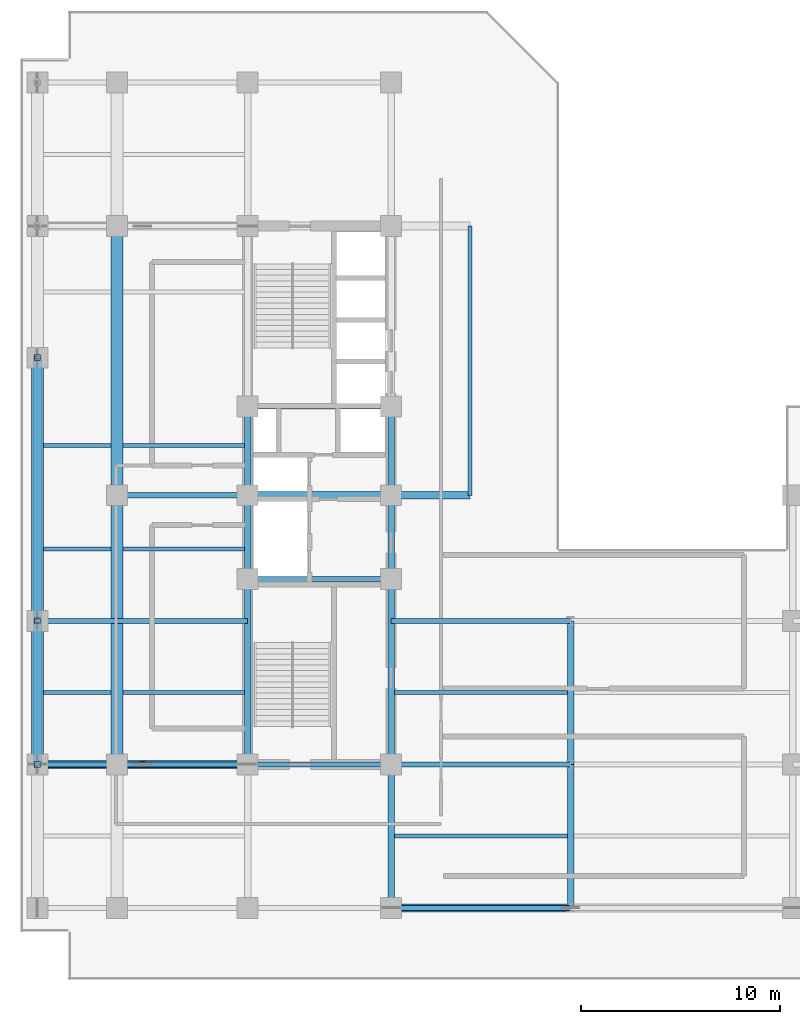
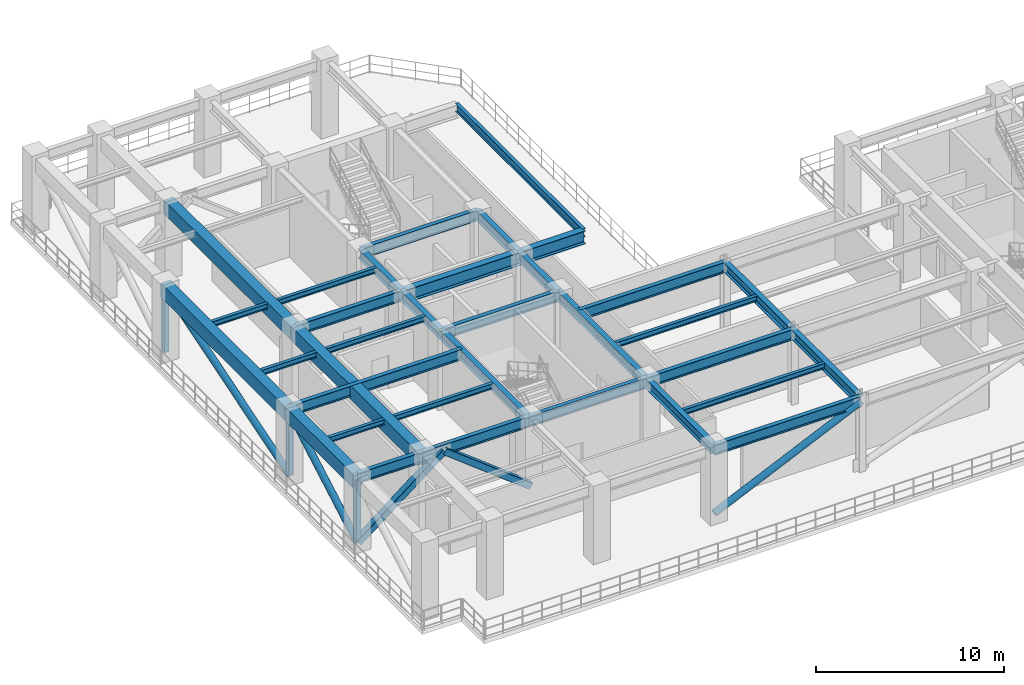
# One storey, part 2 of 16: 33 beams, 8 members.
"""IFC4 building model written with IfcOpenShell, lengths in metres."""

from ifc_helpers import new_model, entity, si_unit, converted_unit, direction, frame, origin_with_axes, origin_2d_with_axis, place, context, subcontext, project, spatial, rectangle, hollow_rectangle, hollow_circle, i_section, extrude, material, material_profile, profile_set, type_object, element, save


model = new_model("IFC4")

# Units and contexts
model_context = context("Model", 3, precision=1e-05, world=origin_with_axes(), true_north=direction((0.0, 1.0)))
body_context = subcontext(model_context, "Body", "Model", "MODEL_VIEW")
ifc_project = project(units=[si_unit("LENGTHUNIT", "METRE"), si_unit("AREAUNIT", "SQUARE_METRE"), si_unit("VOLUMEUNIT", "CUBIC_METRE"), converted_unit("PLANEANGLEUNIT", "DEGREE", entity("IfcPlaneAngleMeasure", 0.017453292519943295), si_unit("PLANEANGLEUNIT", "RADIAN"), dimensions=[0, 0, 0, 0, 0, 0, 0]), si_unit("MASSUNIT", "GRAM", prefix="KILO"), si_unit("THERMODYNAMICTEMPERATUREUNIT", "KELVIN")], contexts=[model_context])

# Site, building, storey
site_placement = place(None, origin_with_axes())
site = spatial("IfcSite", under=ifc_project, at=site_placement, CompositionType="ELEMENT")
building_placement = place(site_placement, origin_with_axes())
building = spatial("IfcBuilding", under=site, at=building_placement, Name="Varnlund Millrace Tower", CompositionType="ELEMENT")
storey_placement = place(building_placement, frame((0.0, 0.0, 187.5), z_axis=(0.0, 0.0, 1.0), x_axis=(1.0, 0.0, 0.0)))
storey = spatial("IfcBuildingStorey", under=building, at=storey_placement, Name="L46", CompositionType="ELEMENT", Elevation=187.5)

# Beam
ifc_material_1 = material(Name="Steel ASTM A992 Grade 50", Category="steel")
ifc_material_profile_1 = material_profile(ifc_material_1, i_section(OverallWidth=0.209, OverallDepth=0.533, WebThickness=0.0102, FlangeThickness=0.0156, FilletRadius=0.014, at=origin_2d_with_axis()), Name="Steel ASTM A992 Grade 50")
ifc_profile_set_1 = profile_set([ifc_material_profile_1], Name="Steel ASTM A992 Grade 50")
beam_type_1 = type_object("IfcBeamType", Name="Type-Beam-W21X62", PredefinedType="BEAM", material=ifc_profile_set_1)
beam_1_placement = place(storey_placement, frame((22.55, 24.3, 4.5935), z_axis=(0.0, 1.0, 0.0), x_axis=(-1.0, 0.0, 0.0)))
element("IfcBeam", 1, at=beam_1_placement, inside=storey, type_object=beam_type_1, Name="Type-Beam-W21X62", PredefinedType="BEAM", context=body_context, shape_type="SweptSolid", body=[
    extrude(i_section(OverallWidth=0.209, OverallDepth=0.533, WebThickness=0.0102, FlangeThickness=0.0156, FilletRadius=0.014, at=origin_2d_with_axis()), origin_with_axes(), (0.0, 0.0, 1.0), 13.5),
])

# Members
ifc_material_2 = material(Name="Steel ASTM A500 Grade C", Category="steel")
ifc_material_profile_2 = material_profile(ifc_material_2, hollow_circle(Radius=0.203, WallThickness=0.0147, at=origin_2d_with_axis()), Name="Steel ASTM A500 Grade C")
ifc_profile_set_2 = profile_set([ifc_material_profile_2], Name="Steel ASTM A500 Grade C")
member_type_1 = type_object("IfcMemberType", Name="Type-Belt-Brace-CHS406", PredefinedType="BRACE", material=ifc_profile_set_2)
member_1_placement = place(storey_placement, frame((0.85, 10.8, 0.35), z_axis=(0.0, 0.868985, 0.494839), x_axis=(-1.0, 0.0, 0.0)))
element("IfcMember", 2, at=member_1_placement, inside=storey, type_object=member_type_1, Name="Type-Belt-Brace-CHS406", PredefinedType="BRACE", context=body_context, shape_type="SweptSolid", body=[
    extrude(hollow_circle(Radius=0.203, WallThickness=0.0147, at=origin_2d_with_axis()), origin_with_axes(), (0.0, 0.0, 1.0), 8.28553),
])
member_2_placement = place(storey_placement, frame((0.85, 18.0, 0.35), z_axis=(0.0, 0.954993, 0.296627), x_axis=(-1.0, 0.0, 0.0)))
element("IfcMember", 3, at=member_2_placement, inside=storey, type_object=member_type_1, Name="Type-Belt-Brace-CHS406", PredefinedType="BRACE", context=body_context, shape_type="SweptSolid", body=[
    extrude(hollow_circle(Radius=0.203, WallThickness=0.0147, at=origin_2d_with_axis()), origin_with_axes(), (0.0, 0.0, 1.0), 13.822084),
])
member_3_placement = place(storey_placement, frame((18.6, 3.6, 0.35), z_axis=(0.91002, 0.0, 0.414565), x_axis=(0.0, 1.0, 0.0)))
element("IfcMember", 4, at=member_3_placement, inside=storey, type_object=member_type_1, Name="Type-Belt-Brace-CHS406", PredefinedType="BRACE", context=body_context, shape_type="SweptSolid", body=[
    extrude(hollow_circle(Radius=0.203, WallThickness=0.0147, at=origin_2d_with_axis()), origin_with_axes(), (0.0, 0.0, 1.0), 9.889894),
])
ifc_material_profile_3 = material_profile(ifc_material_2, hollow_rectangle(XDim=0.305, YDim=0.305, WallThickness=0.0147, InnerFilletRadius=0.015, OuterFilletRadius=0.03, at=origin_2d_with_axis()), Name="Steel ASTM A500 Grade C")
ifc_profile_set_3 = profile_set([ifc_material_profile_3], Name="Steel ASTM A500 Grade C")
member_type_2 = type_object("IfcMemberType", Name="Type-Belt-Chord-HSS12", PredefinedType="CHORD", material=ifc_profile_set_3)
for number, where, z_axis, x_axis, name in (
    (5, (0.85, 10.8, 0.35), (0.0, 0.0, 1.0), (1.0, 0.0, 0.0), "Type-Belt-Chord-HSS12"),
    (6, (0.85, 18.0, 0.35), (0.0, 0.0, 1.0), (1.0, 0.0, 0.0), "Type-Belt-Chord-HSS12"),
    (7, (0.85, 31.2, 0.35), (0.0, 0.0, 1.0), (1.0, 0.0, 0.0), "Type-Belt-Chord-HSS12"),
):
    element("IfcMember", number, at=place(storey_placement, frame(where, z_axis=z_axis, x_axis=x_axis)), inside=storey, type_object=member_type_2, Name=name, PredefinedType="CHORD", context=body_context, shape_type="SweptSolid", body=[
        extrude(hollow_rectangle(XDim=0.305, YDim=0.305, WallThickness=0.0147, InnerFilletRadius=0.015, OuterFilletRadius=0.03, at=origin_2d_with_axis()), origin_with_axes(), (0.0, 0.0, 1.0), 4.1),
    ])

# Beams
ifc_material_profile_4 = material_profile(ifc_material_1, i_section(OverallWidth=0.328, OverallDepth=0.628, WebThickness=0.0165, FlangeThickness=0.0277, FilletRadius=0.018, at=origin_2d_with_axis()), Name="Steel ASTM A992 Grade 50")
ifc_profile_set_4 = profile_set([ifc_material_profile_4], Name="Steel ASTM A992 Grade 50")
beam_type_2 = type_object("IfcBeamType", Name="Type-Girder-W24X146", PredefinedType="USERDEFINED", material=ifc_profile_set_4)
beam_2_placement = place(storey_placement, frame((11.4, 10.8, 4.546), z_axis=(0.0, 1.0, 0.0), x_axis=(-1.0, 0.0, 0.0)))
element("IfcBeam", 8, at=beam_2_placement, inside=storey, type_object=beam_type_2, Name="Type-Girder-W24X146", ObjectType="GIRDER", PredefinedType="USERDEFINED", context=body_context, shape_type="SweptSolid", body=[
    extrude(i_section(OverallWidth=0.328, OverallDepth=0.628, WebThickness=0.0165, FlangeThickness=0.0277, FilletRadius=0.018, at=origin_2d_with_axis()), origin_with_axes(), (0.0, 0.0, 1.0), 9.3),
])
beam_3_placement = place(storey_placement, frame((11.4, 20.1, 4.546), z_axis=(0.0, 1.0, 0.0), x_axis=(-1.0, 0.0, 0.0)))
element("IfcBeam", 9, at=beam_3_placement, inside=storey, type_object=beam_type_2, Name="Type-Girder-W24X146", ObjectType="GIRDER", PredefinedType="USERDEFINED", context=body_context, shape_type="SweptSolid", body=[
    extrude(i_section(OverallWidth=0.328, OverallDepth=0.628, WebThickness=0.0165, FlangeThickness=0.0277, FilletRadius=0.018, at=origin_2d_with_axis()), origin_with_axes(), (0.0, 0.0, 1.0), 4.2),
])
beam_4_placement = place(storey_placement, frame((11.4, 24.3, 4.546), z_axis=(0.0, 1.0, 0.0), x_axis=(-1.0, 0.0, 0.0)))
element("IfcBeam", 10, at=beam_4_placement, inside=storey, type_object=beam_type_2, Name="Type-Girder-W24X146", ObjectType="GIRDER", PredefinedType="USERDEFINED", context=body_context, shape_type="SweptSolid", body=[
    extrude(i_section(OverallWidth=0.328, OverallDepth=0.628, WebThickness=0.0165, FlangeThickness=0.0277, FilletRadius=0.018, at=origin_2d_with_axis()), origin_with_axes(), (0.0, 0.0, 1.0), 4.45),
])
beam_5_placement = place(storey_placement, frame((18.6, 3.6, 4.546), z_axis=(0.0, 1.0, 0.0), x_axis=(-1.0, 0.0, 0.0)))
element("IfcBeam", 11, at=beam_5_placement, inside=storey, type_object=beam_type_2, Name="Type-Girder-W24X146", ObjectType="GIRDER", PredefinedType="USERDEFINED", context=body_context, shape_type="SweptSolid", body=[
    extrude(i_section(OverallWidth=0.328, OverallDepth=0.628, WebThickness=0.0165, FlangeThickness=0.0277, FilletRadius=0.018, at=origin_2d_with_axis()), origin_with_axes(), (0.0, 0.0, 1.0), 7.2),
])
beam_6_placement = place(storey_placement, frame((18.6, 10.8, 4.546), z_axis=(0.0, 1.0, 0.0), x_axis=(-1.0, 0.0, 0.0)))
element("IfcBeam", 12, at=beam_6_placement, inside=storey, type_object=beam_type_2, Name="Type-Girder-W24X146", ObjectType="GIRDER", PredefinedType="USERDEFINED", context=body_context, shape_type="SweptSolid", body=[
    extrude(i_section(OverallWidth=0.328, OverallDepth=0.628, WebThickness=0.0165, FlangeThickness=0.0277, FilletRadius=0.018, at=origin_2d_with_axis()), origin_with_axes(), (0.0, 0.0, 1.0), 9.3),
])
beam_7_placement = place(storey_placement, frame((18.6, 20.1, 4.546), z_axis=(0.0, 1.0, 0.0), x_axis=(-1.0, 0.0, 0.0)))
element("IfcBeam", 13, at=beam_7_placement, inside=storey, type_object=beam_type_2, Name="Type-Girder-W24X146", ObjectType="GIRDER", PredefinedType="USERDEFINED", context=body_context, shape_type="SweptSolid", body=[
    extrude(i_section(OverallWidth=0.328, OverallDepth=0.628, WebThickness=0.0165, FlangeThickness=0.0277, FilletRadius=0.018, at=origin_2d_with_axis()), origin_with_axes(), (0.0, 0.0, 1.0), 4.2),
])
beam_8_placement = place(storey_placement, frame((18.6, 24.3, 4.546), z_axis=(0.0, 1.0, 0.0), x_axis=(-1.0, 0.0, 0.0)))
element("IfcBeam", 14, at=beam_8_placement, inside=storey, type_object=beam_type_2, Name="Type-Girder-W24X146", ObjectType="GIRDER", PredefinedType="USERDEFINED", context=body_context, shape_type="SweptSolid", body=[
    extrude(i_section(OverallWidth=0.328, OverallDepth=0.628, WebThickness=0.0165, FlangeThickness=0.0277, FilletRadius=0.018, at=origin_2d_with_axis()), origin_with_axes(), (0.0, 0.0, 1.0), 4.45),
])
for number, where, z_axis, x_axis, name in (
    (15, (27.6, 3.6, 4.546), (0.0, 1.0, 0.0), (-1.0, 0.0, 0.0), "Type-Girder-W24X146"),
    (16, (27.6, 10.8, 4.546), (0.0, 1.0, 0.0), (-1.0, 0.0, 0.0), "Type-Girder-W24X146"),
):
    element("IfcBeam", number, at=place(storey_placement, frame(where, z_axis=z_axis, x_axis=x_axis)), inside=storey, type_object=beam_type_2, Name=name, ObjectType="GIRDER", PredefinedType="USERDEFINED", context=body_context, shape_type="SweptSolid", body=[
        extrude(i_section(OverallWidth=0.328, OverallDepth=0.628, WebThickness=0.0165, FlangeThickness=0.0277, FilletRadius=0.018, at=origin_2d_with_axis()), origin_with_axes(), (0.0, 0.0, 1.0), 7.2),
    ])
ifc_material_profile_5 = material_profile(ifc_material_1, i_section(OverallWidth=0.256, OverallDepth=0.693, WebThickness=0.0145, FlangeThickness=0.0236, FilletRadius=0.018, at=origin_2d_with_axis()), Name="Steel ASTM A992 Grade 50")
ifc_profile_set_5 = profile_set([ifc_material_profile_5], Name="Steel ASTM A992 Grade 50")
beam_type_3 = type_object("IfcBeamType", Name="Type-Girder-W27X114", PredefinedType="USERDEFINED", material=ifc_profile_set_5)
beam_9_placement = place(storey_placement, frame((18.6, 3.6, 4.5135), z_axis=(1.0, 0.0, 0.0), x_axis=(0.0, 1.0, 0.0)))
element("IfcBeam", 17, at=beam_9_placement, inside=storey, type_object=beam_type_3, Name="Type-Girder-W27X114", ObjectType="GIRDER", PredefinedType="USERDEFINED", context=body_context, shape_type="SweptSolid", body=[
    extrude(i_section(OverallWidth=0.256, OverallDepth=0.693, WebThickness=0.0145, FlangeThickness=0.0236, FilletRadius=0.018, at=origin_2d_with_axis()), origin_with_axes(), (0.0, 0.0, 1.0), 9.0),
])
beam_10_placement = place(storey_placement, frame((0.85, 10.8, 4.5135), z_axis=(1.0, 0.0, 0.0), x_axis=(0.0, 1.0, 0.0)))
element("IfcBeam", 18, at=beam_10_placement, inside=storey, type_object=beam_type_3, Name="Type-Girder-W27X114", ObjectType="GIRDER", PredefinedType="USERDEFINED", context=body_context, shape_type="SweptSolid", body=[
    extrude(i_section(OverallWidth=0.256, OverallDepth=0.693, WebThickness=0.0145, FlangeThickness=0.0236, FilletRadius=0.018, at=origin_2d_with_axis()), origin_with_axes(), (0.0, 0.0, 1.0), 4.0),
])
beam_11_placement = place(storey_placement, frame((4.85, 10.8, 4.5135), z_axis=(1.0, 0.0, 0.0), x_axis=(0.0, 1.0, 0.0)))
element("IfcBeam", 19, at=beam_11_placement, inside=storey, type_object=beam_type_3, Name="Type-Girder-W27X114", ObjectType="GIRDER", PredefinedType="USERDEFINED", context=body_context, shape_type="SweptSolid", body=[
    extrude(i_section(OverallWidth=0.256, OverallDepth=0.693, WebThickness=0.0145, FlangeThickness=0.0236, FilletRadius=0.018, at=origin_2d_with_axis()), origin_with_axes(), (0.0, 0.0, 1.0), 6.55),
])
beam_12_placement = place(storey_placement, frame((11.4, 10.8, 4.5135), z_axis=(1.0, 0.0, 0.0), x_axis=(0.0, 1.0, 0.0)))
element("IfcBeam", 20, at=beam_12_placement, inside=storey, type_object=beam_type_3, Name="Type-Girder-W27X114", ObjectType="GIRDER", PredefinedType="USERDEFINED", context=body_context, shape_type="SweptSolid", body=[
    extrude(i_section(OverallWidth=0.256, OverallDepth=0.693, WebThickness=0.0145, FlangeThickness=0.0236, FilletRadius=0.018, at=origin_2d_with_axis()), origin_with_axes(), (0.0, 0.0, 1.0), 7.2),
])
beam_13_placement = place(storey_placement, frame((18.6, 10.8, 4.5135), z_axis=(1.0, 0.0, 0.0), x_axis=(0.0, 1.0, 0.0)))
element("IfcBeam", 21, at=beam_13_placement, inside=storey, type_object=beam_type_3, Name="Type-Girder-W27X114", ObjectType="GIRDER", PredefinedType="USERDEFINED", context=body_context, shape_type="SweptSolid", body=[
    extrude(i_section(OverallWidth=0.256, OverallDepth=0.693, WebThickness=0.0145, FlangeThickness=0.0236, FilletRadius=0.018, at=origin_2d_with_axis()), origin_with_axes(), (0.0, 0.0, 1.0), 9.0),
])
beam_14_placement = place(storey_placement, frame((0.85, 18.0, 4.5135), z_axis=(1.0, 0.0, 0.0), x_axis=(0.0, 1.0, 0.0)))
element("IfcBeam", 22, at=beam_14_placement, inside=storey, type_object=beam_type_3, Name="Type-Girder-W27X114", ObjectType="GIRDER", PredefinedType="USERDEFINED", context=body_context, shape_type="SweptSolid", body=[
    extrude(i_section(OverallWidth=0.256, OverallDepth=0.693, WebThickness=0.0145, FlangeThickness=0.0236, FilletRadius=0.018, at=origin_2d_with_axis()), origin_with_axes(), (0.0, 0.0, 1.0), 10.55),
])
beam_15_placement = place(storey_placement, frame((18.6, 18.0, 4.5135), z_axis=(1.0, 0.0, 0.0), x_axis=(0.0, 1.0, 0.0)))
element("IfcBeam", 23, at=beam_15_placement, inside=storey, type_object=beam_type_3, Name="Type-Girder-W27X114", ObjectType="GIRDER", PredefinedType="USERDEFINED", context=body_context, shape_type="SweptSolid", body=[
    extrude(i_section(OverallWidth=0.256, OverallDepth=0.693, WebThickness=0.0145, FlangeThickness=0.0236, FilletRadius=0.018, at=origin_2d_with_axis()), origin_with_axes(), (0.0, 0.0, 1.0), 9.0),
])
beam_16_placement = place(storey_placement, frame((11.4, 20.1, 4.5135), z_axis=(1.0, 0.0, 0.0), x_axis=(0.0, 1.0, 0.0)))
element("IfcBeam", 24, at=beam_16_placement, inside=storey, type_object=beam_type_3, Name="Type-Girder-W27X114", ObjectType="GIRDER", PredefinedType="USERDEFINED", context=body_context, shape_type="SweptSolid", body=[
    extrude(i_section(OverallWidth=0.256, OverallDepth=0.693, WebThickness=0.0145, FlangeThickness=0.0236, FilletRadius=0.018, at=origin_2d_with_axis()), origin_with_axes(), (0.0, 0.0, 1.0), 7.2),
])
beam_17_placement = place(storey_placement, frame((4.85, 24.3, 4.5135), z_axis=(1.0, 0.0, 0.0), x_axis=(0.0, 1.0, 0.0)))
element("IfcBeam", 25, at=beam_17_placement, inside=storey, type_object=beam_type_3, Name="Type-Girder-W27X114", ObjectType="GIRDER", PredefinedType="USERDEFINED", context=body_context, shape_type="SweptSolid", body=[
    extrude(i_section(OverallWidth=0.256, OverallDepth=0.693, WebThickness=0.0145, FlangeThickness=0.0236, FilletRadius=0.018, at=origin_2d_with_axis()), origin_with_axes(), (0.0, 0.0, 1.0), 6.55),
])
beam_18_placement = place(storey_placement, frame((11.4, 28.75, 4.5135), z_axis=(1.0, 0.0, 0.0), x_axis=(0.0, 1.0, 0.0)))
element("IfcBeam", 26, at=beam_18_placement, inside=storey, type_object=beam_type_3, Name="Type-Girder-W27X114", ObjectType="GIRDER", PredefinedType="USERDEFINED", context=body_context, shape_type="SweptSolid", body=[
    extrude(i_section(OverallWidth=0.256, OverallDepth=0.693, WebThickness=0.0145, FlangeThickness=0.0236, FilletRadius=0.018, at=origin_2d_with_axis()), origin_with_axes(), (0.0, 0.0, 1.0), 7.2),
])
ifc_material_profile_6 = material_profile(ifc_material_1, i_section(OverallWidth=0.399, OverallDepth=0.855, WebThickness=0.0182, FlangeThickness=0.0292, FilletRadius=0.022, at=origin_2d_with_axis()), Name="Steel ASTM A992 Grade 50")
ifc_profile_set_6 = profile_set([ifc_material_profile_6], Name="Steel ASTM A992 Grade 50")
beam_type_4 = type_object("IfcBeamType", Name="Type-Girder-W33X201", PredefinedType="USERDEFINED", material=ifc_profile_set_6)
beam_19_placement = place(storey_placement, frame((11.4, 24.3, 4.4325), z_axis=(1.0, 0.0, 0.0), x_axis=(0.0, 1.0, 0.0)))
element("IfcBeam", 27, at=beam_19_placement, inside=storey, type_object=beam_type_4, Name="Type-Girder-W33X201", ObjectType="GIRDER", PredefinedType="USERDEFINED", context=body_context, shape_type="SweptSolid", body=[
    extrude(i_section(OverallWidth=0.399, OverallDepth=0.855, WebThickness=0.0182, FlangeThickness=0.0292, FilletRadius=0.022, at=origin_2d_with_axis()), origin_with_axes(), (0.0, 0.0, 1.0), 11.15),
])
ifc_material_profile_7 = material_profile(ifc_material_1, i_section(OverallWidth=0.204, OverallDepth=0.35, WebThickness=0.0086, FlangeThickness=0.0151, FilletRadius=0.013, at=origin_2d_with_axis()), Name="Steel ASTM A992 Grade 50")
ifc_profile_set_7 = profile_set([ifc_material_profile_7], Name="Steel ASTM A992 Grade 50")
beam_type_5 = type_object("IfcBeamType", Name="Type-Joist-W14X48", PredefinedType="JOIST", material=ifc_profile_set_7)
for number, where, z_axis, x_axis, name in (
    (28, (1.15, 14.4, 4.685), (1.0, 0.0, 0.0), (0.0, 1.0, 0.0), "Type-Joist-W14X48"),
    (29, (1.15, 21.6, 4.685), (1.0, 0.0, 0.0), (0.0, 1.0, 0.0), "Type-Joist-W14X48"),
    (30, (1.15, 26.8, 4.685), (1.0, 0.0, 0.0), (0.0, 1.0, 0.0), "Type-Joist-W14X48"),
):
    element("IfcBeam", number, at=place(storey_placement, frame(where, z_axis=z_axis, x_axis=x_axis)), inside=storey, type_object=beam_type_5, Name=name, PredefinedType="JOIST", context=body_context, shape_type="SweptSolid", body=[
        extrude(i_section(OverallWidth=0.204, OverallDepth=0.35, WebThickness=0.0086, FlangeThickness=0.0151, FilletRadius=0.013, at=origin_2d_with_axis()), origin_with_axes(), (0.0, 0.0, 1.0), 3.4),
    ])
for number, where, z_axis, x_axis, name in (
    (31, (5.15, 14.4, 4.685), (1.0, 0.0, 0.0), (0.0, 1.0, 0.0), "Type-Joist-W14X48"),
    (32, (5.15, 21.6, 4.685), (1.0, 0.0, 0.0), (0.0, 1.0, 0.0), "Type-Joist-W14X48"),
    (33, (5.15, 26.8, 4.685), (1.0, 0.0, 0.0), (0.0, 1.0, 0.0), "Type-Joist-W14X48"),
):
    element("IfcBeam", number, at=place(storey_placement, frame(where, z_axis=z_axis, x_axis=x_axis)), inside=storey, type_object=beam_type_5, Name=name, PredefinedType="JOIST", context=body_context, shape_type="SweptSolid", body=[
        extrude(i_section(OverallWidth=0.204, OverallDepth=0.35, WebThickness=0.0086, FlangeThickness=0.0151, FilletRadius=0.013, at=origin_2d_with_axis()), origin_with_axes(), (0.0, 0.0, 1.0), 6.086),
    ])
for number, where, z_axis, x_axis, name in (
    (34, (18.764, 7.2, 4.685), (1.0, 0.0, 0.0), (0.0, 1.0, 0.0), "Type-Joist-W14X48"),
    (35, (18.764, 14.4, 4.685), (1.0, 0.0, 0.0), (0.0, 1.0, 0.0), "Type-Joist-W14X48"),
):
    element("IfcBeam", number, at=place(storey_placement, frame(where, z_axis=z_axis, x_axis=x_axis)), inside=storey, type_object=beam_type_5, Name=name, PredefinedType="JOIST", context=body_context, shape_type="SweptSolid", body=[
        extrude(i_section(OverallWidth=0.204, OverallDepth=0.35, WebThickness=0.0086, FlangeThickness=0.0151, FilletRadius=0.013, at=origin_2d_with_axis()), origin_with_axes(), (0.0, 0.0, 1.0), 8.672),
    ])

# Members
ifc_material_profile_8 = material_profile(ifc_material_2, hollow_rectangle(XDim=0.406, YDim=0.406, WallThickness=0.0147, InnerFilletRadius=0.015, OuterFilletRadius=0.03, at=origin_2d_with_axis()), Name="Steel ASTM A500 Grade C")
ifc_profile_set_8 = profile_set([ifc_material_profile_8], Name="Steel ASTM A500 Grade C")
member_type_3 = type_object("IfcMemberType", Name="Type-Outrigger-Brace-HSS16", PredefinedType="BRACE", material=ifc_profile_set_8)
for number, where, z_axis, x_axis, name in (
    (36, (0.85, 10.8, 0.35), (0.789554, 0.0, 0.613682), (0.0, 1.0, 0.0), "Type-Outrigger-Brace-HSS16"),
    (37, (11.4, 10.8, 0.35), (-0.789554, 0.0, 0.613682), (0.0, -1.0, 0.0), "Type-Outrigger-Brace-HSS16"),
):
    element("IfcMember", number, at=place(storey_placement, frame(where, z_axis=z_axis, x_axis=x_axis)), inside=storey, type_object=member_type_3, Name=name, PredefinedType="BRACE", context=body_context, shape_type="SweptSolid", body=[
        extrude(hollow_rectangle(XDim=0.406, YDim=0.406, WallThickness=0.0147, InnerFilletRadius=0.015, OuterFilletRadius=0.03, at=origin_2d_with_axis()), origin_with_axes(), (0.0, 0.0, 1.0), 6.68099),
    ])

# Beams
ifc_material_3 = material(Name="Concrete C70/85", Category="concrete")
ifc_material_profile_9 = material_profile(ifc_material_3, rectangle(XDim=0.6, YDim=0.9, at=origin_2d_with_axis()), Name="Concrete C70/85")
ifc_profile_set_9 = profile_set([ifc_material_profile_9], Name="Concrete C70/85")
beam_type_6 = type_object("IfcBeamType", Name="Type-Spandrel-RC600X900", PredefinedType="SPANDREL", material=ifc_profile_set_9)
beam_20_placement = place(storey_placement, frame((0.85, 10.8, 4.41), z_axis=(0.0, 1.0, 0.0), x_axis=(-1.0, 0.0, 0.0)))
element("IfcBeam", 38, at=beam_20_placement, inside=storey, type_object=beam_type_6, Name="Type-Spandrel-RC600X900", PredefinedType="SPANDREL", context=body_context, shape_type="SweptSolid", body=[
    extrude(rectangle(XDim=0.6, YDim=0.9, at=origin_2d_with_axis()), origin_with_axes(), (0.0, 0.0, 1.0), 7.2),
])
beam_21_placement = place(storey_placement, frame((0.85, 18.0, 4.41), z_axis=(0.0, 1.0, 0.0), x_axis=(-1.0, 0.0, 0.0)))
element("IfcBeam", 39, at=beam_21_placement, inside=storey, type_object=beam_type_6, Name="Type-Spandrel-RC600X900", PredefinedType="SPANDREL", context=body_context, shape_type="SweptSolid", body=[
    extrude(rectangle(XDim=0.6, YDim=0.9, at=origin_2d_with_axis()), origin_with_axes(), (0.0, 0.0, 1.0), 13.2),
])
for number, where, z_axis, x_axis, name in (
    (40, (4.85, 10.8, 4.41), (0.0, 1.0, 0.0), (-1.0, 0.0, 0.0), "Type-Spandrel-RC600X900"),
    (41, (4.85, 24.3, 4.41), (0.0, 1.0, 0.0), (-1.0, 0.0, 0.0), "Type-Spandrel-RC600X900"),
):
    element("IfcBeam", number, at=place(storey_placement, frame(where, z_axis=z_axis, x_axis=x_axis)), inside=storey, type_object=beam_type_6, Name=name, PredefinedType="SPANDREL", context=body_context, shape_type="SweptSolid", body=[
        extrude(rectangle(XDim=0.6, YDim=0.9, at=origin_2d_with_axis()), origin_with_axes(), (0.0, 0.0, 1.0), 13.5),
    ])

save(model, "model.ifc")
